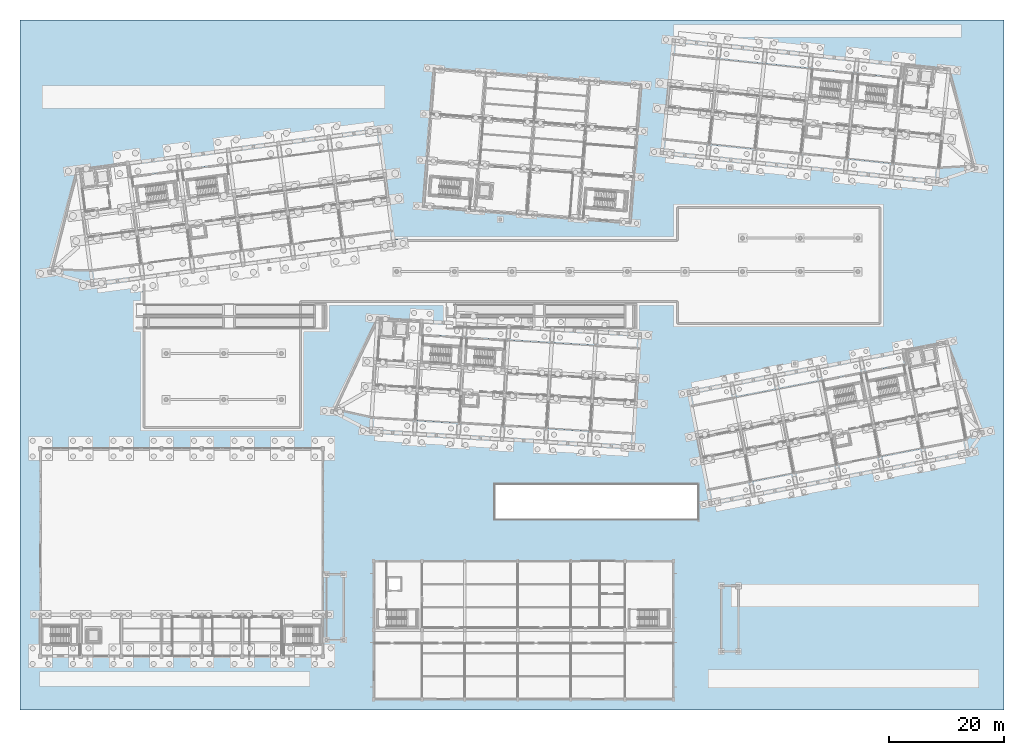
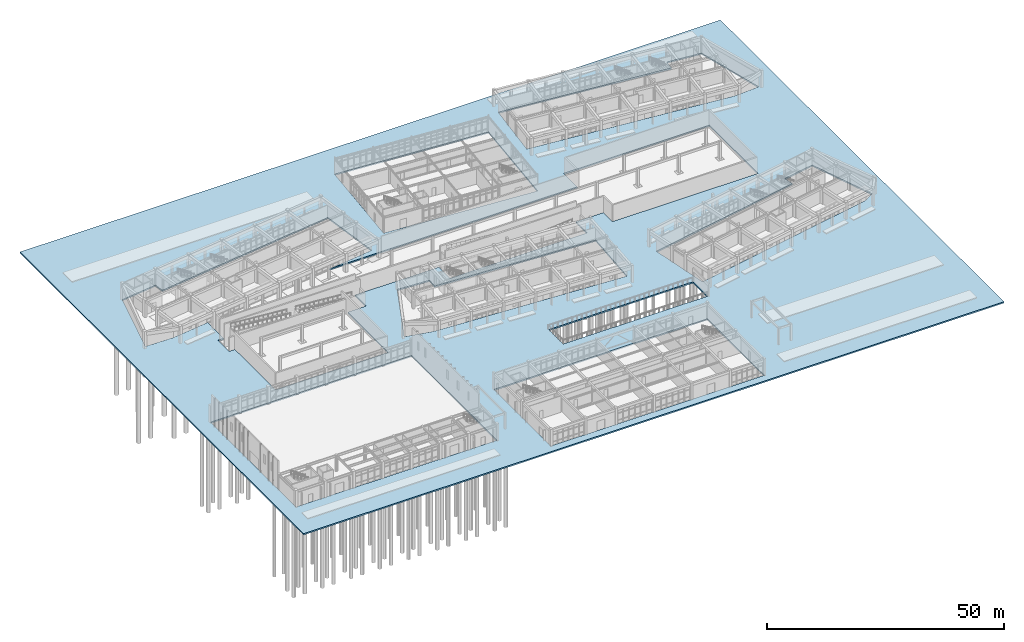
# One storey, part 105 of 154: 1 slab.
"""IFC4 building model written with IfcOpenShell, lengths in metres."""

import ifcopenshell
import ifcopenshell.guid

model = None  # the IFC model being written
_history = None  # IfcOwnerHistory: only IFC2X3 demands one
_inside = {}  # id of a spatial element -> (the spatial element, [elements in it])
_under = {}  # id of a project, library or spatial element -> (it, [spatial elements below it])
_declared = {}  # id of a project -> (the project, [libraries it declares])
_typed = {}  # id of a type object -> (the type object, [elements of that type])
_made_of = {}  # id of a material, layer set ... -> (it, [elements and type objects made of it])


def new_model(schema):
    """Start an empty IFC model of exactly this schema.

    Asked for "IFC4X3", IfcOpenShell would pick the latest addendum, in which some entities
    have other attributes; the version numbers below select the first issue.
    IFC2X3 requires an IfcOwnerHistory on every rooted entity: one is made here for all.
    """
    global model, _history
    if schema == "IFC4X3":
        model = ifcopenshell.file(schema_version=(4, 3, 0, 0))
    else:
        model = ifcopenshell.file(schema=schema)
    _inside.clear()
    _under.clear()
    _declared.clear()
    _typed.clear()
    _made_of.clear()
    _history = None
    if model.schema == "IFC2X3":
        org = make("IfcOrganization", Name="unknown")
        user = make(
            "IfcPersonAndOrganization",
            ThePerson=make("IfcPerson", FamilyName="unknown"),
            TheOrganization=org,
        )
        app = make(
            "IfcApplication",
            ApplicationDeveloper=org,
            Version="unknown",
            ApplicationFullName="unknown",
            ApplicationIdentifier="unknown",
        )
        _history = make(
            "IfcOwnerHistory",
            OwningUser=user,
            OwningApplication=app,
            ChangeAction="ADDED",
            CreationDate=0,
        )
    return model


def make(cls, **values):
    """One entity of the class cls with the attributes given. An attribute that is None is left unset."""
    return model.create_entity(
        cls, **{name: value for name, value in values.items() if value is not None}
    )


def rooted(cls, **values):
    """An entity with a GlobalId (a new one), such as an element, a storey or a relation."""
    return make(cls, GlobalId=ifcopenshell.guid.new(), OwnerHistory=_history, **values)


def si_unit(unit_type, name, prefix=None):
    """IfcSIUnit, for example si_unit("LENGTHUNIT", "METRE", prefix="MILLI")."""
    return make("IfcSIUnit", UnitType=unit_type, Prefix=prefix, Name=name)


def assignment(units):
    """IfcUnitAssignment: the units of a project."""
    return None if units is None else make("IfcUnitAssignment", Units=units)


def point(xyz):
    """IfcCartesianPoint."""
    return None if xyz is None else make("IfcCartesianPoint", Coordinates=xyz)


def direction(xyz):
    """IfcDirection."""
    return None if xyz is None else make("IfcDirection", DirectionRatios=xyz)


def frame(location, z_axis=None, x_axis=None):
    """IfcAxis2Placement3D, a coordinate frame: its origin and axes. An axis left out is left unset."""
    return make(
        "IfcAxis2Placement3D",
        Location=point(location),
        Axis=direction(z_axis),
        RefDirection=direction(x_axis),
    )


def origin():
    """The frame at (0, 0, 0) with its axes left unset."""
    return frame((0.0, 0.0, 0.0))


def place(relative_to, where):
    """IfcLocalPlacement: puts the frame where relative to a parent placement (None: the world)."""
    return make(
        "IfcLocalPlacement", PlacementRelTo=relative_to, RelativePlacement=where
    )


def context(
    kind, dimensions, precision=None, world=None, true_north=None, identifier=None
):
    """IfcGeometricRepresentationContext, for example the 3D "Model" context."""
    return make(
        "IfcGeometricRepresentationContext",
        ContextIdentifier=identifier,
        ContextType=kind,
        CoordinateSpaceDimension=dimensions,
        Precision=precision,
        WorldCoordinateSystem=world,
        TrueNorth=true_north,
    )


def subcontext(parent, identifier, kind, view, scale=None):
    """IfcGeometricRepresentationSubContext, for example "Body" below "Model"."""
    return make(
        "IfcGeometricRepresentationSubContext",
        ContextIdentifier=identifier,
        ContextType=kind,
        ParentContext=parent,
        TargetScale=scale,
        TargetView=view,
    )


def project(units=None, contexts=None):
    """IfcProject with its units and contexts."""
    return rooted(
        "IfcProject",
        Name="project",
        RepresentationContexts=contexts,
        UnitsInContext=assignment(units),
    )


def spatial(cls, under=None, at=None, **own):
    """A site, building, storey or space (cls), placed at a placement, below another one or the project."""
    s = rooted(cls, ObjectPlacement=at, **own)
    if under is not None:
        _under.setdefault(under.id(), (under, []))[1].append(s)
    return s


def polyline(points):
    """IfcPolyline through the points."""
    return make("IfcPolyline", Points=[point(p) for p in points])


def outline(outer, holes=None, kind="AREA"):
    """IfcArbitraryClosedProfileDef: a profile drawn as a closed curve; with holes, ...WithVoids."""
    if holes is None:
        return make("IfcArbitraryClosedProfileDef", ProfileType=kind, OuterCurve=outer)
    return make(
        "IfcArbitraryProfileDefWithVoids",
        ProfileType=kind,
        OuterCurve=outer,
        InnerCurves=holes,
    )


def extrude(swept, where, along, depth):
    """IfcExtrudedAreaSolid: the profile swept, set in the frame where, extruded along a direction by depth."""
    return make(
        "IfcExtrudedAreaSolid",
        SweptArea=swept,
        Position=where,
        ExtrudedDirection=direction(along),
        Depth=depth,
    )


def shape(context_of_items, identifier, shape_type, items):
    """IfcShapeRepresentation: the items that make up one representation, for example the "Body"."""
    return make(
        "IfcShapeRepresentation",
        ContextOfItems=context_of_items,
        RepresentationIdentifier=identifier,
        RepresentationType=shape_type,
        Items=items,
    )


def material(Name=None, Category=None):
    """IfcMaterial."""
    return make("IfcMaterial", Name=Name, Category=Category)


def layer(
    of_material, thickness, ventilated=None, Name=None, Category=None, Priority=None
):
    """IfcMaterialLayer: one layer of a wall or slab, of a material (None: an air gap)."""
    return make(
        "IfcMaterialLayer",
        Material=of_material,
        LayerThickness=thickness,
        IsVentilated=ventilated,
        Name=Name,
        Category=Category,
        Priority=Priority,
    )


def layer_set(layers, Name=None):
    """IfcMaterialLayerSet."""
    return make("IfcMaterialLayerSet", MaterialLayers=layers, LayerSetName=Name)


def made_of(thing, what):
    """Note that an element or type object is made of a material, layer set ...; save() writes the relation."""
    if what is not None:
        _made_of.setdefault(what.id(), (what, []))[1].append(thing)
    return thing


def type_object(cls, material=None, **own):
    """A type object (cls), such as IfcWallType, which elements share."""
    return made_of(rooted(cls, **own), material)


def element(
    cls,
    number,
    at=None,
    inside=None,
    cuts=None,
    type_object=None,
    material=None,
    context=None,
    identifier="Body",
    shape_type=None,
    held_by="IfcProductDefinitionShape",
    body=None,
    shapes=None,
    **own,
):
    """One element of the class cls, such as IfcWall. Its Tag is "e" and its number.

    at: its placement. inside: the storey or other place that contains it. cuts: it is an
    opening in that element (IfcRelVoidsElement). A single representation is given by context,
    identifier, shape_type and body (its items); several are given by shapes. held_by: the class
    of the entity that holds the representations. save() writes the other relations.
    """
    e = rooted(cls, Tag="e%d" % number, ObjectPlacement=at, **own)
    if body is not None:
        shapes = [shape(context, identifier, shape_type, body)]
    if shapes is not None:
        e.Representation = make(held_by, Representations=shapes)
    if inside is not None:
        _inside.setdefault(inside.id(), (inside, []))[1].append(e)
    if cuts is not None:
        rooted(
            "IfcRelVoidsElement", RelatingBuildingElement=cuts, RelatedOpeningElement=e
        )
    if type_object is not None:
        _typed.setdefault(type_object.id(), (type_object, []))[1].append(e)
    return made_of(e, material)


def aggregate(whole, parts):
    """IfcRelAggregates: a whole, such as a stair, and the parts it consists of."""
    return rooted("IfcRelAggregates", RelatingObject=whole, RelatedObjects=parts)


def save(model, path):
    """Write the relations noted so far, then the file.

    IfcRelAggregates (storeys below a building ...), IfcRelContainedInSpatialStructure (elements
    in a storey), IfcRelDefinesByType, IfcRelAssociatesMaterial and IfcRelDeclares: one each for
    every whole, place, type object, material and project.
    """
    for whole, parts in _under.values():
        aggregate(whole, parts)
    for where, things in _inside.values():
        rooted(
            "IfcRelContainedInSpatialStructure",
            RelatedElements=things,
            RelatingStructure=where,
        )
    for kind, things in _typed.values():
        rooted("IfcRelDefinesByType", RelatedObjects=things, RelatingType=kind)
    for what, things in _made_of.values():
        rooted("IfcRelAssociatesMaterial", RelatedObjects=things, RelatingMaterial=what)
    for by, libraries in _declared.values():
        rooted("IfcRelDeclares", RelatingContext=by, RelatedDefinitions=libraries)
    model.write(path)


model = new_model("IFC4")

# Units and contexts
model_context = context("Model", 3, precision=1e-05, world=origin(), true_north=direction((0.0, 1.0)))
body_context = subcontext(model_context, "Body", "Model", "MODEL_VIEW")
ifc_project = project(units=[si_unit("LENGTHUNIT", "METRE"), si_unit("AREAUNIT", "SQUARE_METRE"), si_unit("VOLUMEUNIT", "CUBIC_METRE"), si_unit("PLANEANGLEUNIT", "RADIAN"), si_unit("MASSUNIT", "GRAM", prefix="KILO")], contexts=[model_context])

# Site, building, storey
site_placement = place(None, origin())
site = spatial("IfcSite", under=ifc_project, at=site_placement, CompositionType="ELEMENT")
building_placement = place(site_placement, origin())
building = spatial("IfcBuilding", under=site, at=building_placement, Name="Kestramere Prow Commons", CompositionType="ELEMENT")
storey_placement = place(building_placement, origin())
storey = spatial("IfcBuildingStorey", under=building, at=storey_placement, Name="L00", CompositionType="ELEMENT", Elevation=0.0)

# Slab
ifc_material = material(Name="Concrete C35/45", Category="concrete")
ifc_layer = layer(ifc_material, 0.35009765625)
ifc_layer_set = layer_set([ifc_layer], Name="Concrete C35/45")
slab_type = type_object("IfcSlabType", Name="SL-EXT-APRON-350", PredefinedType="BASESLAB", material=ifc_layer_set)
slab_placement = place(storey_placement, frame((0.0, 0.0, -0.35009765625)))
element("IfcSlab", 1, at=slab_placement, inside=storey, type_object=slab_type, Name="Continuous Street Forecourt and Colonnade Plinth Slab", PredefinedType="BASESLAB", context=body_context, shape_type="SweptSolid", body=[
    extrude(outline(polyline([(-1.35009765625, -1.85009765625), (-1.35009765625, 117.85009765625), (169.35009765625, 117.85009765625), (169.35009765625, -1.85009765625), (-1.35009765625, -1.85009765625)]), holes=[polyline([(112.00390625, 24.00390625), (59.99609375, 24.00390625), (59.99609375, -0.00390625), (112.00390625, -0.00390625), (112.00390625, 24.00390625)]), polyline([(51.2041015625, 43.50390625), (2.196044921875, 43.50390625), (2.196044921875, 7.49609375), (51.2041015625, 7.49609375), (51.2041015625, 43.50390625)]), polyline([(68.28662109375, 65.603271484375), (60.694091796875, 66.067626953125), (53.313720703125, 50.281494140625), (59.64599609375, 48.8916015625), (105.165283203125, 46.107421875), (106.069091796875, 60.887939453125), (68.14013671875, 63.207763671875), (68.28662109375, 65.603271484375)]), polyline([(18.595947265625, 64.095947265625), (19.99609375, 64.095947265625), (19.99609375, 46.99609375), (47.50390625, 46.99609375), (47.50390625, 64.095947265625), (52.00390625, 64.095947265625), (52.00390625, 68.7958984375), (72.39599609375, 68.7958984375), (72.39599609375, 64.095947265625), (105.803955078125, 64.095947265625), (105.803955078125, 68.7958984375), (112.49609375, 68.7958984375), (112.49609375, 64.99609375), (148.00390625, 64.99609375), (148.00390625, 85.50390625), (112.49609375, 85.50390625), (112.49609375, 79.803955078125), (52.120849609375, 79.803955078125), (63.239501953125, 81.267822265625), (61.25439453125, 96.345703125), (17.630859375, 90.6025390625), (17.317626953125, 92.98193359375), (8.586181640625, 91.83251953125), (4.20751953125, 74.505615234375), (10.886962890625, 74.37548828125), (19.99609375, 75.57470703125), (19.99609375, 68.803955078125), (18.595947265625, 68.803955078125), (18.595947265625, 64.095947265625)]), polyline([(116.154052734375, 31.196044921875), (116.154052734375, 37.303955078125), (80.99609375, 37.303955078125), (80.99609375, 31.196044921875), (116.154052734375, 31.196044921875)]), polyline([(151.957275390625, 60.493896484375), (152.415283203125, 58.137939453125), (115.11328125, 50.88720703125), (117.93896484375, 36.351318359375), (162.705810546875, 45.052978515625), (165.070556640625, 46.532958984375), (159.4248046875, 61.9453125), (151.957275390625, 60.493896484375)]), polyline([(104.49267578125, 82.671142578125), (106.376220703125, 106.605224609375), (70.479248046875, 109.430419921875), (68.595703125, 85.496337890625), (104.49267578125, 82.671142578125)]), polyline([(151.826171875, 110.115966796875), (151.5751953125, 107.72900390625), (111.794189453125, 111.91015625), (110.24658203125, 97.183349609375), (157.98779296875, 92.16552734375), (164.064697265625, 92.533203125), (159.7890625, 109.279052734375), (151.826171875, 110.115966796875)])]), origin(), (0.0, 0.0, 1.0), 0.35009765625),
])

save(model, "model.ifc")
